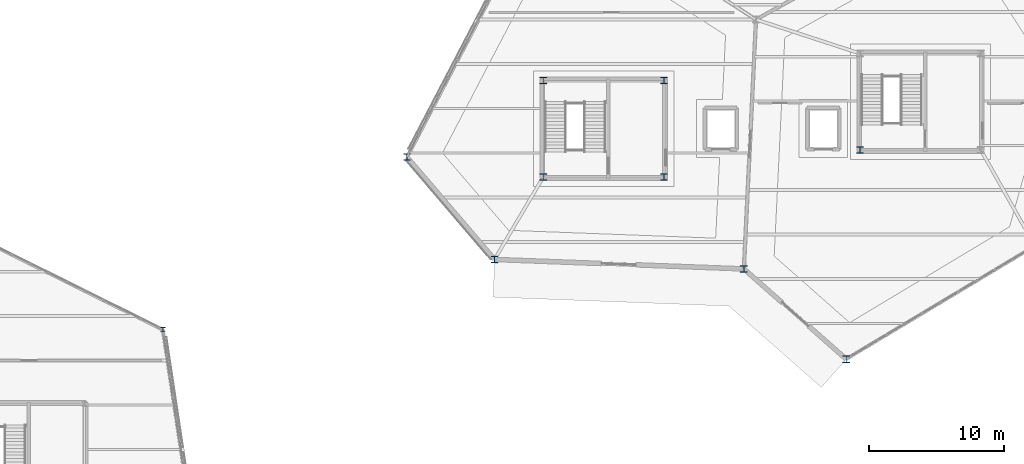
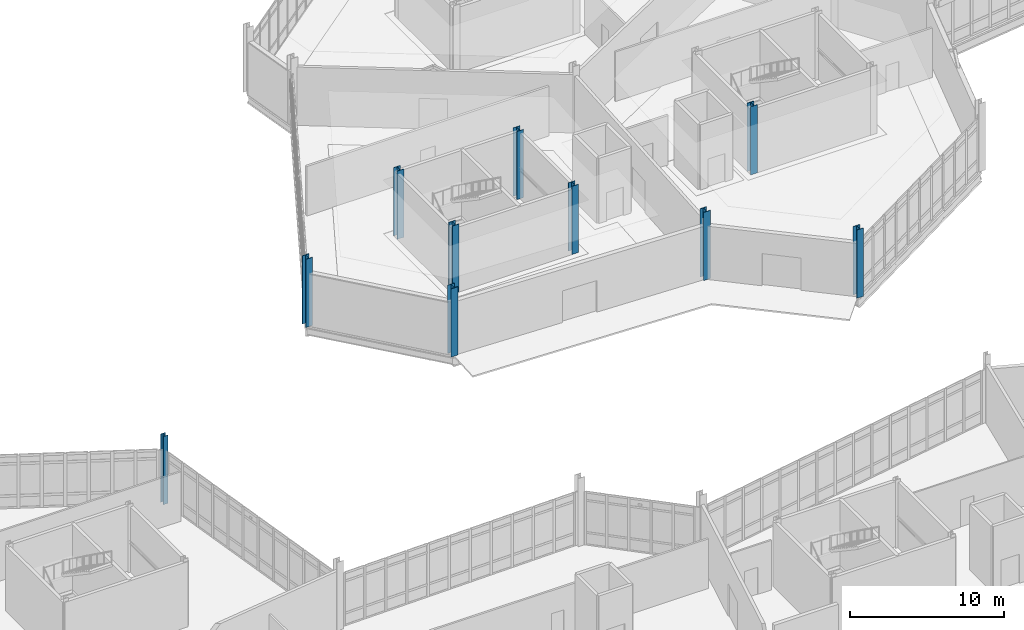
# One storey, part 15 of 113: 10 columns.
"""IFC4 building model written with IfcOpenShell, lengths in metres."""

import ifcopenshell
import ifcopenshell.guid

model = None  # the IFC model being written
_history = None  # IfcOwnerHistory: only IFC2X3 demands one
_inside = {}  # id of a spatial element -> (the spatial element, [elements in it])
_under = {}  # id of a project, library or spatial element -> (it, [spatial elements below it])
_declared = {}  # id of a project -> (the project, [libraries it declares])
_typed = {}  # id of a type object -> (the type object, [elements of that type])
_made_of = {}  # id of a material, layer set ... -> (it, [elements and type objects made of it])


def new_model(schema):
    """Start an empty IFC model of exactly this schema.

    Asked for "IFC4X3", IfcOpenShell would pick the latest addendum, in which some entities
    have other attributes; the version numbers below select the first issue.
    IFC2X3 requires an IfcOwnerHistory on every rooted entity: one is made here for all.
    """
    global model, _history
    if schema == "IFC4X3":
        model = ifcopenshell.file(schema_version=(4, 3, 0, 0))
    else:
        model = ifcopenshell.file(schema=schema)
    _inside.clear()
    _under.clear()
    _declared.clear()
    _typed.clear()
    _made_of.clear()
    _history = None
    if model.schema == "IFC2X3":
        org = make("IfcOrganization", Name="unknown")
        user = make(
            "IfcPersonAndOrganization",
            ThePerson=make("IfcPerson", FamilyName="unknown"),
            TheOrganization=org,
        )
        app = make(
            "IfcApplication",
            ApplicationDeveloper=org,
            Version="unknown",
            ApplicationFullName="unknown",
            ApplicationIdentifier="unknown",
        )
        _history = make(
            "IfcOwnerHistory",
            OwningUser=user,
            OwningApplication=app,
            ChangeAction="ADDED",
            CreationDate=0,
        )
    return model


def make(cls, **values):
    """One entity of the class cls with the attributes given. An attribute that is None is left unset."""
    return model.create_entity(
        cls, **{name: value for name, value in values.items() if value is not None}
    )


def rooted(cls, **values):
    """An entity with a GlobalId (a new one), such as an element, a storey or a relation."""
    return make(cls, GlobalId=ifcopenshell.guid.new(), OwnerHistory=_history, **values)


def si_unit(unit_type, name, prefix=None):
    """IfcSIUnit, for example si_unit("LENGTHUNIT", "METRE", prefix="MILLI")."""
    return make("IfcSIUnit", UnitType=unit_type, Prefix=prefix, Name=name)


def assignment(units):
    """IfcUnitAssignment: the units of a project."""
    return None if units is None else make("IfcUnitAssignment", Units=units)


def point(xyz):
    """IfcCartesianPoint."""
    return None if xyz is None else make("IfcCartesianPoint", Coordinates=xyz)


def direction(xyz):
    """IfcDirection."""
    return None if xyz is None else make("IfcDirection", DirectionRatios=xyz)


def frame(location, z_axis=None, x_axis=None):
    """IfcAxis2Placement3D, a coordinate frame: its origin and axes. An axis left out is left unset."""
    return make(
        "IfcAxis2Placement3D",
        Location=point(location),
        Axis=direction(z_axis),
        RefDirection=direction(x_axis),
    )


def frame_2d(location, x_axis=None):
    """IfcAxis2Placement2D, a coordinate frame in the plane: its origin and x axis."""
    return make(
        "IfcAxis2Placement2D", Location=point(location), RefDirection=direction(x_axis)
    )


def origin():
    """The frame at (0, 0, 0) with its axes left unset."""
    return frame((0.0, 0.0, 0.0))


def origin_2d():
    """The frame at (0, 0) in the plane with its x axis left unset."""
    return frame_2d((0.0, 0.0))


def place(relative_to, where):
    """IfcLocalPlacement: puts the frame where relative to a parent placement (None: the world)."""
    return make(
        "IfcLocalPlacement", PlacementRelTo=relative_to, RelativePlacement=where
    )


def context(
    kind, dimensions, precision=None, world=None, true_north=None, identifier=None
):
    """IfcGeometricRepresentationContext, for example the 3D "Model" context."""
    return make(
        "IfcGeometricRepresentationContext",
        ContextIdentifier=identifier,
        ContextType=kind,
        CoordinateSpaceDimension=dimensions,
        Precision=precision,
        WorldCoordinateSystem=world,
        TrueNorth=true_north,
    )


def subcontext(parent, identifier, kind, view, scale=None):
    """IfcGeometricRepresentationSubContext, for example "Body" below "Model"."""
    return make(
        "IfcGeometricRepresentationSubContext",
        ContextIdentifier=identifier,
        ContextType=kind,
        ParentContext=parent,
        TargetScale=scale,
        TargetView=view,
    )


def project(units=None, contexts=None):
    """IfcProject with its units and contexts."""
    return rooted(
        "IfcProject",
        Name="project",
        RepresentationContexts=contexts,
        UnitsInContext=assignment(units),
    )


def spatial(cls, under=None, at=None, **own):
    """A site, building, storey or space (cls), placed at a placement, below another one or the project."""
    s = rooted(cls, ObjectPlacement=at, **own)
    if under is not None:
        _under.setdefault(under.id(), (under, []))[1].append(s)
    return s


def profile(cls, at=None, kind="AREA", **sizes):
    """A parametric profile (cls). Its sizes go by their IFC names, for example OverallWidth=200.0."""
    return make(cls, ProfileType=kind, Position=at, **sizes)


def i_section(**sizes):
    """IfcIShapeProfileDef."""
    return profile("IfcIShapeProfileDef", **sizes)


def extrude(swept, where, along, depth):
    """IfcExtrudedAreaSolid: the profile swept, set in the frame where, extruded along a direction by depth."""
    return make(
        "IfcExtrudedAreaSolid",
        SweptArea=swept,
        Position=where,
        ExtrudedDirection=direction(along),
        Depth=depth,
    )


def shape(context_of_items, identifier, shape_type, items):
    """IfcShapeRepresentation: the items that make up one representation, for example the "Body"."""
    return make(
        "IfcShapeRepresentation",
        ContextOfItems=context_of_items,
        RepresentationIdentifier=identifier,
        RepresentationType=shape_type,
        Items=items,
    )


def material(Name=None, Category=None):
    """IfcMaterial."""
    return make("IfcMaterial", Name=Name, Category=Category)


def material_profile(
    of_material, cross_section, Name=None, Category=None, Priority=None
):
    """IfcMaterialProfile: a cross section and its material."""
    return make(
        "IfcMaterialProfile",
        Name=Name,
        Material=of_material,
        Profile=cross_section,
        Priority=Priority,
        Category=Category,
    )


def profile_set(profiles, Name=None, composite=None):
    """IfcMaterialProfileSet."""
    return make(
        "IfcMaterialProfileSet",
        Name=Name,
        MaterialProfiles=profiles,
        CompositeProfile=composite,
    )


def made_of(thing, what):
    """Note that an element or type object is made of a material, layer set ...; save() writes the relation."""
    if what is not None:
        _made_of.setdefault(what.id(), (what, []))[1].append(thing)
    return thing


def type_object(cls, material=None, **own):
    """A type object (cls), such as IfcWallType, which elements share."""
    return made_of(rooted(cls, **own), material)


def element(
    cls,
    number,
    at=None,
    inside=None,
    cuts=None,
    type_object=None,
    material=None,
    context=None,
    identifier="Body",
    shape_type=None,
    held_by="IfcProductDefinitionShape",
    body=None,
    shapes=None,
    **own,
):
    """One element of the class cls, such as IfcWall. Its Tag is "e" and its number.

    at: its placement. inside: the storey or other place that contains it. cuts: it is an
    opening in that element (IfcRelVoidsElement). A single representation is given by context,
    identifier, shape_type and body (its items); several are given by shapes. held_by: the class
    of the entity that holds the representations. save() writes the other relations.
    """
    e = rooted(cls, Tag="e%d" % number, ObjectPlacement=at, **own)
    if body is not None:
        shapes = [shape(context, identifier, shape_type, body)]
    if shapes is not None:
        e.Representation = make(held_by, Representations=shapes)
    if inside is not None:
        _inside.setdefault(inside.id(), (inside, []))[1].append(e)
    if cuts is not None:
        rooted(
            "IfcRelVoidsElement", RelatingBuildingElement=cuts, RelatedOpeningElement=e
        )
    if type_object is not None:
        _typed.setdefault(type_object.id(), (type_object, []))[1].append(e)
    return made_of(e, material)


def aggregate(whole, parts):
    """IfcRelAggregates: a whole, such as a stair, and the parts it consists of."""
    return rooted("IfcRelAggregates", RelatingObject=whole, RelatedObjects=parts)


def save(model, path):
    """Write the relations noted so far, then the file.

    IfcRelAggregates (storeys below a building ...), IfcRelContainedInSpatialStructure (elements
    in a storey), IfcRelDefinesByType, IfcRelAssociatesMaterial and IfcRelDeclares: one each for
    every whole, place, type object, material and project.
    """
    for whole, parts in _under.values():
        aggregate(whole, parts)
    for where, things in _inside.values():
        rooted(
            "IfcRelContainedInSpatialStructure",
            RelatedElements=things,
            RelatingStructure=where,
        )
    for kind, things in _typed.values():
        rooted("IfcRelDefinesByType", RelatedObjects=things, RelatingType=kind)
    for what, things in _made_of.values():
        rooted("IfcRelAssociatesMaterial", RelatedObjects=things, RelatingMaterial=what)
    for by, libraries in _declared.values():
        rooted("IfcRelDeclares", RelatingContext=by, RelatedDefinitions=libraries)
    model.write(path)


model = new_model("IFC4")

# Units and contexts
model_context = context("Model", 3, precision=1e-05, world=origin(), true_north=direction((0.0, 1.0)))
body_context = subcontext(model_context, "Body", "Model", "MODEL_VIEW")
ifc_project = project(units=[si_unit("LENGTHUNIT", "METRE"), si_unit("AREAUNIT", "SQUARE_METRE"), si_unit("VOLUMEUNIT", "CUBIC_METRE"), si_unit("PLANEANGLEUNIT", "RADIAN"), si_unit("MASSUNIT", "GRAM", prefix="KILO")], contexts=[model_context])

# Site, building, storey
site_placement = place(None, origin())
site = spatial("IfcSite", under=ifc_project, at=site_placement, CompositionType="ELEMENT")
building_placement = place(site_placement, origin())
building = spatial("IfcBuilding", under=site, at=building_placement, Name="Tameran Prism Museum", CompositionType="ELEMENT")
storey_placement = place(building_placement, origin())
storey = spatial("IfcBuildingStorey", under=building, at=storey_placement, Name="L00", CompositionType="ELEMENT", Elevation=0.0)

# Columns
ifc_material_1 = material(Name="Steel Grade 350 (350 MPa)", Category="steel")
ifc_material_profile_1 = material_profile(ifc_material_1, i_section(OverallWidth=0.35009765625, OverallDepth=0.35009765625, WebThickness=0.02001953125, FlangeThickness=0.028076171875, at=origin_2d()))
ifc_profile_set_1 = profile_set([ifc_material_profile_1])
column_type_1 = type_object("IfcColumnType", Name="COL-WC350", PredefinedType="COLUMN", material=ifc_profile_set_1)
column_placement = place(storey_placement, frame((74.800048828125, 66.10009765625, 0.0), z_axis=(0.0, 0.0, 1.0), x_axis=(1.0, 0.0, 0.0)))
element("IfcColumn", 1, at=column_placement, inside=storey, type_object=column_type_1, Name="Column CV-33 L00", PredefinedType="COLUMN", context=body_context, shape_type="SweptSolid", body=[
    extrude(i_section(OverallWidth=0.35009765625, OverallDepth=0.35009765625, WebThickness=0.02001953125, FlangeThickness=0.028076171875, at=origin_2d()), origin(), (0.0, 0.0, 1.0), 5.39990234375),
])
ifc_material_2 = material(Name="Steel Grade 350 (350 MPa)", Category="steel")
ifc_material_profile_2 = material_profile(ifc_material_2, i_section(OverallWidth=0.5, OverallDepth=0.5, WebThickness=0.02197265625, FlangeThickness=0.035888671875, at=origin_2d()))
ifc_profile_set_2 = profile_set([ifc_material_profile_2])
column_type_2 = type_object("IfcColumnType", Name="COL-WC500", PredefinedType="COLUMN", material=ifc_profile_set_2)
for number, where, z_axis, x_axis, name in (
    (2, (92.89990234375, 78.89990234375, 0.0), (0.0, 0.0, 1.0), (1.0, 0.0, 0.0), "Column CV-37 L00"),
    (3, (99.39990234375, 71.300048828125, 0.0), (0.0, 0.0, 1.0), (1.0, 0.0, 0.0), "Column CV-40 L00"),
    (4, (117.89990234375, 70.60009765625, 0.0), (0.0, 0.0, 1.0), (1.0, 0.0, 0.0), "Column CV-46 L00"),
    (5, (125.5, 63.89990234375, 0.0), (0.0, 0.0, 1.0), (1.0, 0.0, 0.0), "Column CV-49 L00"),
    (6, (103.02001953125, 77.419921875, 0.0), (0.0, 0.0, 1.0), (1.0, 0.0, 0.0), "Column CC-1-1 L00"),
    (7, (111.97998046875, 77.419921875, 0.0), (0.0, 0.0, 1.0), (1.0, 0.0, 0.0), "Column CC-1-2 L00"),
    (8, (111.97998046875, 84.580078125, 0.0), (0.0, 0.0, 1.0), (1.0, 0.0, 0.0), "Column CC-1-3 L00"),
    (9, (103.02001953125, 84.580078125, 0.0), (0.0, 0.0, 1.0), (1.0, 0.0, 0.0), "Column CC-1-4 L00"),
    (10, (126.52001953125, 79.419921875, 0.0), (0.0, 0.0, 1.0), (1.0, 0.0, 0.0), "Column CC-2-1 L00"),
):
    element("IfcColumn", number, at=place(storey_placement, frame(where, z_axis=z_axis, x_axis=x_axis)), inside=storey, type_object=column_type_2, Name=name, PredefinedType="COLUMN", context=body_context, shape_type="SweptSolid", body=[
        extrude(i_section(OverallWidth=0.5, OverallDepth=0.5, WebThickness=0.02197265625, FlangeThickness=0.035888671875, at=origin_2d()), origin(), (0.0, 0.0, 1.0), 5.39990234375),
    ])

save(model, "model.ifc")
